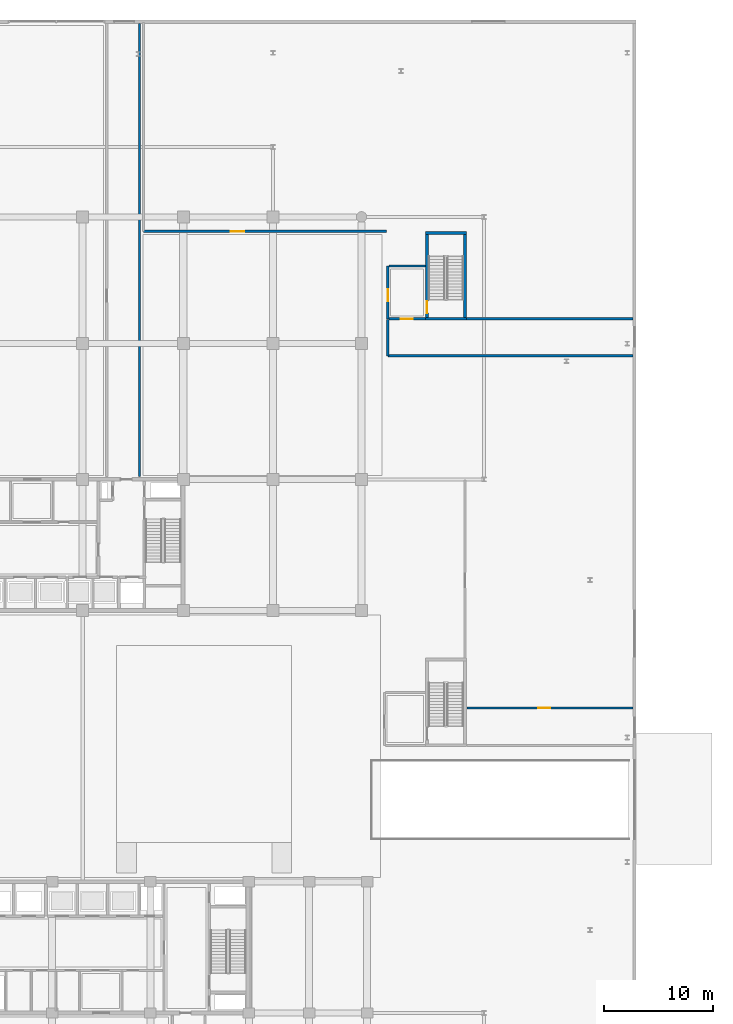
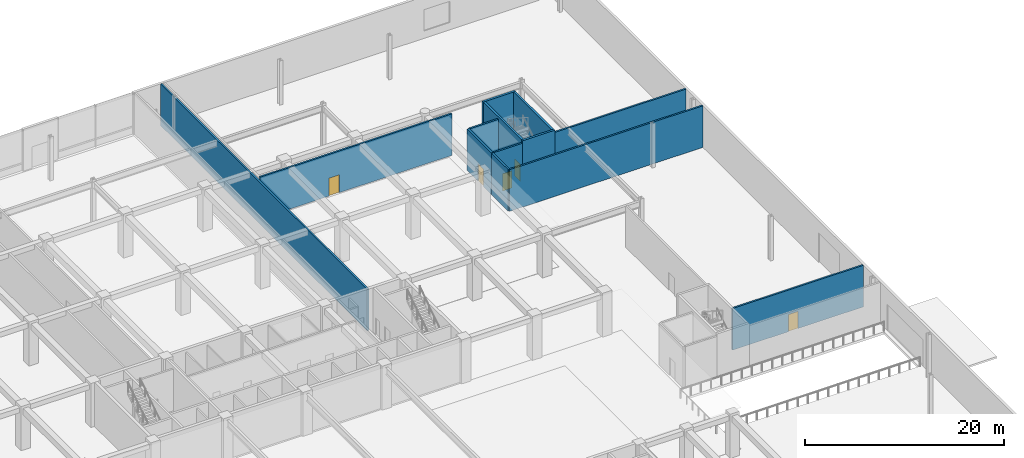
# One storey, part 30 of 46: 13 walls, 5 doors, 5 openings.
"""IFC4 building model written with IfcOpenShell, lengths in metres."""

from ifc_helpers import new_model, si_unit, direction, frame, frame_2d, origin, place, context, subcontext, project, spatial, rectangle, extrude, material, layer, layer_set, type_object, element, fill, save


model = new_model("IFC4")

# Units and contexts
model_context = context("Model", 3, precision=1e-05, world=origin(), true_north=direction((0.0, 1.0)))
body_context = subcontext(model_context, "Body", "Model", "MODEL_VIEW")
ifc_project = project(units=[si_unit("LENGTHUNIT", "METRE"), si_unit("AREAUNIT", "SQUARE_METRE"), si_unit("VOLUMEUNIT", "CUBIC_METRE"), si_unit("PLANEANGLEUNIT", "RADIAN"), si_unit("MASSUNIT", "GRAM", prefix="KILO")], contexts=[model_context])

# Site, building, storey
site_placement = place(None, origin())
site = spatial("IfcSite", under=ifc_project, at=site_placement, CompositionType="ELEMENT")
building_placement = place(site_placement, origin())
building = spatial("IfcBuilding", under=site, at=building_placement, Name="Korimba Cascade Residences", CompositionType="ELEMENT")
storey_placement = place(building_placement, origin())
storey = spatial("IfcBuildingStorey", under=building, at=storey_placement, Name="L00", CompositionType="ELEMENT", Elevation=0.0)

# Wall, opening, door
ifc_material_1 = material(Name="Concrete C40/50", Category="concrete")
ifc_layer_1 = layer(ifc_material_1, 0.199951171875)
ifc_layer_set_1 = layer_set([ifc_layer_1], Name="Concrete C40/50")
wall_type_1 = type_object("IfcWallType", Name="WAL-PART-200", PredefinedType="PARTITIONING", material=ifc_layer_set_1)
wall_1_placement = place(storey_placement, frame((130.800048828125, 81.875, 0.0), z_axis=(0.0, 0.0, 1.0), x_axis=(0.0, 1.0, 0.0)))
wall_1 = element("IfcWall", 1, at=wall_1_placement, inside=storey, type_object=wall_type_1, Name="L00 Partition Wall CW-L00-PL4W", PredefinedType="PARTITIONING", context=body_context, shape_type="SweptSolid", body=[
    extrude(rectangle(XDim=4.824951171875, YDim=0.199951171875, at=frame_2d((2.41259765625, 0.0))), origin(), (0.0, 0.0, 1.0), 5.10009765625),
])
opening_1_placement = place(wall_1_placement, frame((1.60009765625, 0.0, 0.0)))
opening_1 = element("IfcOpeningElement", 2, at=opening_1_placement, cuts=wall_1, Name="Opening D-FD6", PredefinedType="OPENING", context=body_context, shape_type="SweptSolid", body=[
    extrude(rectangle(XDim=1.10009765625, YDim=2.14990234375, at=frame_2d((0.550048828125, 1.074951171875))), frame((0.0, 0.10986328125, 0.0), z_axis=(0.0, -1.0, 0.0), x_axis=(1.0, 0.0, 0.0)), (0.0, 0.0, 1.0), 0.219970703125),
])
ifc_material_2 = material(Name="Fire-Rated Timber Stair Lobby Door", Category="wood")
door_type_1 = type_object("IfcDoorType", Name="DR-FD90-1100", OperationType="NOTDEFINED", PredefinedType="DOOR", material=ifc_material_2)
door_1_placement = place(opening_1_placement, origin())
door_1 = element("IfcDoor", 3, at=door_1_placement, inside=storey, type_object=door_type_1, Name="L00 North-East Stair Vestibule Door", OperationType="SINGLE_SWING_LEFT", OverallHeight=2.14990234375, OverallWidth=1.10009765625, PredefinedType="DOOR", context=body_context, shape_type="SweptSolid", body=[
    extrude(rectangle(XDim=1.10009765625, YDim=2.14990234375, at=frame_2d((0.550048828125, 1.074951171875))), frame((0.0, 0.02490234375, 0.0), z_axis=(0.0, -1.0, 0.0), x_axis=(1.0, 0.0, 0.0)), (0.0, 0.0, 1.0), 0.050048828125),
])
fill(opening_1, door_1)

wall_2_placement = place(storey_placement, frame((130.89990234375, 81.875, 0.0), z_axis=(0.0, 0.0, 1.0), x_axis=(1.0, 0.0, 0.0)))
wall_2 = element("IfcWall", 4, at=wall_2_placement, inside=storey, type_object=wall_type_1, Name="L00 Partition Wall CW-L00-PL4S", PredefinedType="PARTITIONING", context=body_context, shape_type="SweptSolid", body=[
    extrude(rectangle(XDim=3.35009765625, YDim=0.199951171875, at=frame_2d((1.675048828125, 0.0))), origin(), (0.0, 0.0, 1.0), 5.10009765625),
])
opening_2_placement = place(wall_2_placement, frame((1.10009765625, 0.0, 0.0)))
opening_2 = element("IfcOpeningElement", 5, at=opening_2_placement, cuts=wall_2, Name="Opening D-FD1", PredefinedType="OPENING", context=body_context, shape_type="SweptSolid", body=[
    extrude(rectangle(XDim=1.10009765625, YDim=2.10009765625, at=frame_2d((0.550048828125, 1.050048828125))), frame((0.0, 0.10986328125, 0.0), z_axis=(0.0, -1.0, 0.0), x_axis=(1.0, 0.0, 0.0)), (0.0, 0.0, 1.0), 0.219970703125),
])
ifc_material_3 = material(Name="Fire-Rated Steel Core Door", Category="steel")
door_type_2 = type_object("IfcDoorType", Name="DR-FD120-1100", OperationType="NOTDEFINED", PredefinedType="DOOR", material=ifc_material_3)
door_2_placement = place(opening_2_placement, origin())
door_2 = element("IfcDoor", 6, at=door_2_placement, inside=storey, type_object=door_type_2, Name="L00 NE Vestibule to Exit Passage Door", OperationType="SINGLE_SWING_RIGHT", OverallHeight=2.10009765625, OverallWidth=1.10009765625, PredefinedType="DOOR", context=body_context, shape_type="SweptSolid", body=[
    extrude(rectangle(XDim=1.10009765625, YDim=2.10009765625, at=frame_2d((0.550048828125, 1.050048828125))), frame((0.0, 0.02490234375, 0.0), z_axis=(0.0, -1.0, 0.0), x_axis=(1.0, 0.0, 0.0)), (0.0, 0.0, 1.0), 0.050048828125),
])
fill(opening_2, door_2)

# Walls
wall_3_placement = place(storey_placement, frame((130.89990234375, 86.699951171875, 0.0), z_axis=(0.0, 0.0, 1.0), x_axis=(1.0, 0.0, 0.0)))
element("IfcWall", 7, at=wall_3_placement, inside=storey, type_object=wall_type_1, Name="L00 Partition Wall CW-L00-PL4N", PredefinedType="PARTITIONING", context=body_context, shape_type="SweptSolid", body=[
    extrude(rectangle(XDim=3.35009765625, YDim=0.199951171875, at=frame_2d((1.675048828125, 0.0))), origin(), (0.0, 0.0, 1.0), 5.10009765625),
])
wall_4_placement = place(storey_placement, frame((108.10009765625, 67.449951171875, 0.0), z_axis=(0.0, 0.0, 1.0), x_axis=(0.0, 1.0, 0.0)))
element("IfcWall", 8, at=wall_4_placement, inside=storey, type_object=wall_type_1, Name="L00 Partition Wall WAL-L00-XPN2E", PredefinedType="PARTITIONING", context=body_context, shape_type="SweptSolid", body=[
    extrude(rectangle(XDim=41.449951171875, YDim=0.199951171875, at=frame_2d((20.72509765625, 0.0))), origin(), (0.0, 0.0, 1.0), 5.10009765625),
])

# Wall, opening, door
wall_5_placement = place(storey_placement, frame((138.050048828125, 46.300048828125, 0.0), z_axis=(0.0, 0.0, 1.0), x_axis=(1.0, 0.0, 0.0)))
wall_5 = element("IfcWall", 9, at=wall_5_placement, inside=storey, type_object=wall_type_1, Name="L00 Partition Wall WAL-L00-XPEN", PredefinedType="PARTITIONING", context=body_context, shape_type="SweptSolid", body=[
    extrude(rectangle(XDim=15.14990234375, YDim=0.199951171875, at=frame_2d((7.574951171875, 0.0))), origin(), (0.0, 0.0, 1.0), 5.10009765625),
])
opening_3_placement = place(wall_5_placement, frame((6.5, 0.0, 0.0)))
opening_3 = element("IfcOpeningElement", 10, at=opening_3_placement, cuts=wall_5, Name="Opening D-FD1", PredefinedType="OPENING", context=body_context, shape_type="SweptSolid", body=[
    extrude(rectangle(XDim=1.10009765625, YDim=2.10009765625, at=frame_2d((0.550048828125, 1.050048828125))), frame((0.0, 0.10986328125, 0.0), z_axis=(0.0, -1.0, 0.0), x_axis=(1.0, 0.0, 0.0)), (0.0, 0.0, 1.0), 0.219970703125),
])
door_3_placement = place(opening_3_placement, origin())
door_3 = element("IfcDoor", 11, at=door_3_placement, inside=storey, type_object=door_type_2, Name="L00 Concourse to East Exit Passage Door", OperationType="SINGLE_SWING_LEFT", OverallHeight=2.10009765625, OverallWidth=1.10009765625, PredefinedType="DOOR", context=body_context, shape_type="SweptSolid", body=[
    extrude(rectangle(XDim=1.10009765625, YDim=2.10009765625, at=frame_2d((0.550048828125, 1.050048828125))), frame((0.0, 0.02490234375, 0.0), z_axis=(0.0, -1.0, 0.0), x_axis=(1.0, 0.0, 0.0)), (0.0, 0.0, 1.0), 0.050048828125),
])
fill(opening_3, door_3)

# Walls
wall_6_placement = place(storey_placement, frame((130.800048828125, 78.5, 0.0), z_axis=(0.0, 0.0, 1.0), x_axis=(1.0, 0.0, 0.0)))
element("IfcWall", 12, at=wall_6_placement, inside=storey, type_object=wall_type_1, Name="L00 Partition Wall WAL-L00-XPP4S", PredefinedType="PARTITIONING", context=body_context, shape_type="SweptSolid", body=[
    extrude(rectangle(XDim=22.39990234375, YDim=0.199951171875, at=frame_2d((11.199951171875, 0.0))), origin(), (0.0, 0.0, 1.0), 5.10009765625),
])
wall_7_placement = place(storey_placement, frame((138.0, 81.875, 0.0), z_axis=(0.0, 0.0, 1.0), x_axis=(1.0, 0.0, 0.0)))
element("IfcWall", 13, at=wall_7_placement, inside=storey, type_object=wall_type_1, Name="L00 Partition Wall WAL-L00-XPP4N", PredefinedType="PARTITIONING", context=body_context, shape_type="SweptSolid", body=[
    extrude(rectangle(XDim=15.199951171875, YDim=0.199951171875, at=frame_2d((7.60009765625, 0.0))), origin(), (0.0, 0.0, 1.0), 5.10009765625),
])
wall_8_placement = place(storey_placement, frame((130.800048828125, 78.5, 0.0), z_axis=(0.0, 0.0, 1.0), x_axis=(0.0, 1.0, 0.0)))
element("IfcWall", 14, at=wall_8_placement, inside=storey, type_object=wall_type_1, Name="L00 Partition Wall WAL-L00-XPP4W", PredefinedType="PARTITIONING", context=body_context, shape_type="SweptSolid", body=[
    extrude(rectangle(XDim=3.300048828125, YDim=0.199951171875, at=frame_2d((1.64990234375, 0.0))), origin(), (0.0, 0.0, 1.0), 5.10009765625),
])

# Wall, opening, door
wall_9_placement = place(storey_placement, frame((108.449951171875, 89.8798828125, 0.0), z_axis=(0.0, 0.0, 1.0), x_axis=(1.0, 0.0, 0.0)))
wall_9 = element("IfcWall", 15, at=wall_9_placement, inside=storey, type_object=wall_type_1, Name="L00 Partition Wall WAL-L00-GALS", PredefinedType="PARTITIONING", context=body_context, shape_type="SweptSolid", body=[
    extrude(rectangle(XDim=22.25, YDim=0.199951171875, at=frame_2d((11.125, 0.0))), origin(), (0.0, 0.0, 1.0), 5.10009765625),
])
opening_4_placement = place(wall_9_placement, frame((8.0, 0.0, 0.0)))
opening_4 = element("IfcOpeningElement", 16, at=opening_4_placement, cuts=wall_9, Name="Opening D-AM1", PredefinedType="OPENING", context=body_context, shape_type="SweptSolid", body=[
    extrude(rectangle(XDim=1.219970703125, YDim=2.179931640625, at=frame_2d((0.60986328125, 1.08984375))), frame((0.0, 0.10986328125, 0.0), z_axis=(0.0, -1.0, 0.0), x_axis=(1.0, 0.0, 0.0)), (0.0, 0.0, 1.0), 0.219970703125),
])
ifc_material_4 = material(Name="Fire-Rated Glazed Timber Suite Door", Category="wood")
door_type_3 = type_object("IfcDoorType", Name="DR-FD60-1200", OperationType="NOTDEFINED", PredefinedType="DOOR", material=ifc_material_4)
door_4_placement = place(opening_4_placement, origin())
door_4 = element("IfcDoor", 17, at=door_4_placement, inside=storey, type_object=door_type_3, Name="L00 Linen Store Internal Door", OperationType="SINGLE_SWING_RIGHT", OverallHeight=2.179931640625, OverallWidth=1.219970703125, PredefinedType="DOOR", context=body_context, shape_type="SweptSolid", body=[
    extrude(rectangle(XDim=1.219970703125, YDim=2.179931640625, at=frame_2d((0.60986328125, 1.08984375))), frame((0.0, 0.02490234375, 0.0), z_axis=(0.0, -1.0, 0.0), x_axis=(1.0, 0.0, 0.0)), (0.0, 0.0, 1.0), 0.050048828125),
])
fill(opening_4, door_4)

ifc_material_5 = material(Name="Concrete C50/60", Category="concrete")
ifc_layer_2 = layer(ifc_material_5, 0.25)
ifc_layer_set_2 = layer_set([ifc_layer_2], Name="Concrete C50/60")
wall_type_2 = type_object("IfcWallType", Name="WAL-SHAFT-250", PredefinedType="SHEAR", material=ifc_layer_set_2)
wall_10_placement = place(storey_placement, frame((134.375, 82.0, 0.0), z_axis=(0.0, 0.0, 1.0), x_axis=(0.0, 1.0, 0.0)))
wall_10 = element("IfcWall", 18, at=wall_10_placement, inside=storey, type_object=wall_type_2, Name="L00 Core Shear Wall CW-L00-STP4W", PredefinedType="SHEAR", context=body_context, shape_type="SweptSolid", body=[
    extrude(rectangle(XDim=7.60009765625, YDim=0.25, at=frame_2d((3.800048828125, 0.0))), origin(), (0.0, 0.0, 1.0), 5.39990234375),
])
opening_5_placement = place(wall_10_placement, frame((0.39990234375, 0.0, 0.0)))
opening_5 = element("IfcOpeningElement", 19, at=opening_5_placement, cuts=wall_10, Name="Opening D-FD1", PredefinedType="OPENING", context=body_context, shape_type="SweptSolid", body=[
    extrude(rectangle(XDim=1.10009765625, YDim=2.10009765625, at=frame_2d((0.550048828125, 1.050048828125))), frame((0.0, 0.135009765625, 0.0), z_axis=(0.0, -1.0, 0.0), x_axis=(1.0, 0.0, 0.0)), (0.0, 0.0, 1.0), 0.27001953125),
])
door_5_placement = place(opening_5_placement, origin())
door_5 = element("IfcDoor", 20, at=door_5_placement, inside=storey, type_object=door_type_2, Name="L00 Podium Stair ST-P4 Door", OperationType="SINGLE_SWING_RIGHT", OverallHeight=2.10009765625, OverallWidth=1.10009765625, PredefinedType="DOOR", context=body_context, shape_type="SweptSolid", body=[
    extrude(rectangle(XDim=1.10009765625, YDim=2.10009765625, at=frame_2d((0.550048828125, 1.050048828125))), frame((0.0, 0.02490234375, 0.0), z_axis=(0.0, -1.0, 0.0), x_axis=(1.0, 0.0, 0.0)), (0.0, 0.0, 1.0), 0.050048828125),
])
fill(opening_5, door_5)

# Walls
wall_11_placement = place(storey_placement, frame((137.864990234375, 82.0, 0.0), z_axis=(0.0, 0.0, 1.0), x_axis=(0.0, 1.0, 0.0)))
element("IfcWall", 21, at=wall_11_placement, inside=storey, type_object=wall_type_2, Name="L00 Core Shear Wall CW-L00-STP4E", PredefinedType="SHEAR", context=body_context, shape_type="SweptSolid", body=[
    extrude(rectangle(XDim=7.60009765625, YDim=0.25, at=frame_2d((3.800048828125, 0.0))), origin(), (0.0, 0.0, 1.0), 5.39990234375),
])
for number, where, z_axis, x_axis, name in (
    (22, (134.25, 81.875, 0.0), (0.0, 0.0, 1.0), (1.0, 0.0, 0.0), "L00 Core Shear Wall CW-L00-STP4S"),
    (23, (134.25, 89.72509765625, 0.0), (0.0, 0.0, 1.0), (1.0, 0.0, 0.0), "L00 Core Shear Wall CW-L00-STP4N"),
):
    element("IfcWall", number, at=place(storey_placement, frame(where, z_axis=z_axis, x_axis=x_axis)), inside=storey, type_object=wall_type_2, Name=name, PredefinedType="SHEAR", context=body_context, shape_type="SweptSolid", body=[
        extrude(rectangle(XDim=3.739990234375, YDim=0.25, at=frame_2d((1.8701171875, 0.0))), origin(), (0.0, 0.0, 1.0), 5.39990234375),
    ])

save(model, "model.ifc")
